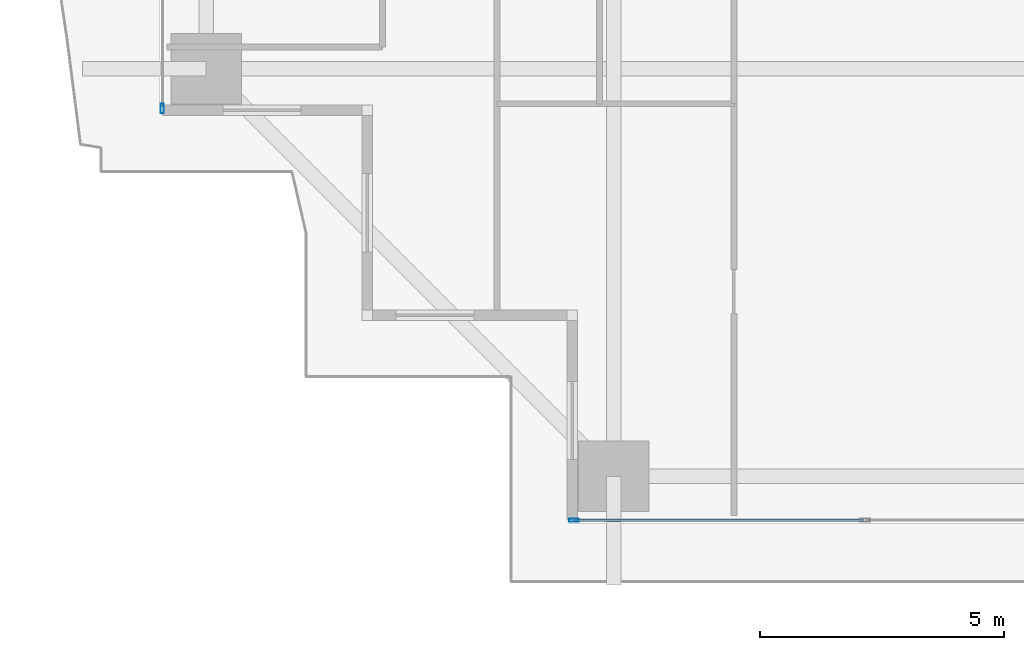
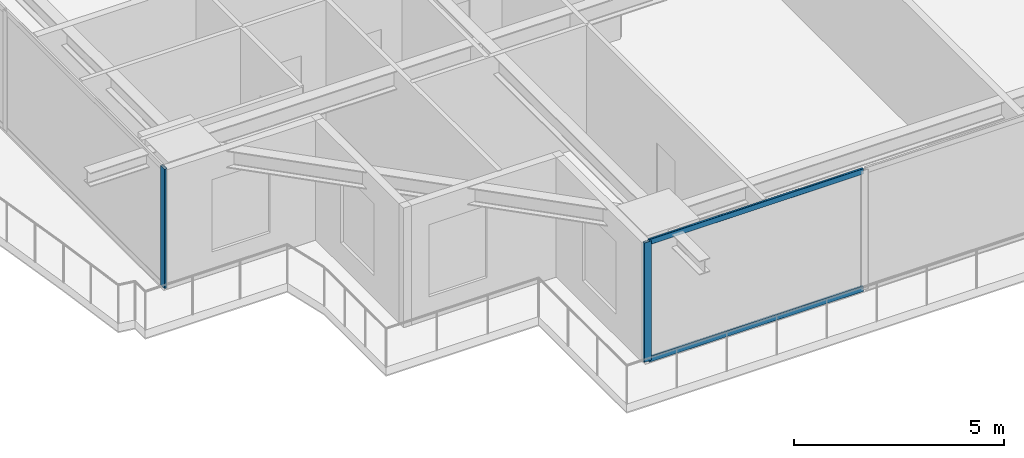
# One storey, part 2 of 35: 4 members, 2 elements without a shape of their own.
"""IFC4 building model written with IfcOpenShell, lengths in metres."""

import ifcopenshell
import ifcopenshell.guid

model = None  # the IFC model being written
_history = None  # IfcOwnerHistory: only IFC2X3 demands one
_inside = {}  # id of a spatial element -> (the spatial element, [elements in it])
_under = {}  # id of a project, library or spatial element -> (it, [spatial elements below it])
_declared = {}  # id of a project -> (the project, [libraries it declares])
_typed = {}  # id of a type object -> (the type object, [elements of that type])
_made_of = {}  # id of a material, layer set ... -> (it, [elements and type objects made of it])


def new_model(schema):
    """Start an empty IFC model of exactly this schema.

    Asked for "IFC4X3", IfcOpenShell would pick the latest addendum, in which some entities
    have other attributes; the version numbers below select the first issue.
    IFC2X3 requires an IfcOwnerHistory on every rooted entity: one is made here for all.
    """
    global model, _history
    if schema == "IFC4X3":
        model = ifcopenshell.file(schema_version=(4, 3, 0, 0))
    else:
        model = ifcopenshell.file(schema=schema)
    _inside.clear()
    _under.clear()
    _declared.clear()
    _typed.clear()
    _made_of.clear()
    _history = None
    if model.schema == "IFC2X3":
        org = make("IfcOrganization", Name="unknown")
        user = make(
            "IfcPersonAndOrganization",
            ThePerson=make("IfcPerson", FamilyName="unknown"),
            TheOrganization=org,
        )
        app = make(
            "IfcApplication",
            ApplicationDeveloper=org,
            Version="unknown",
            ApplicationFullName="unknown",
            ApplicationIdentifier="unknown",
        )
        _history = make(
            "IfcOwnerHistory",
            OwningUser=user,
            OwningApplication=app,
            ChangeAction="ADDED",
            CreationDate=0,
        )
    return model


def make(cls, **values):
    """One entity of the class cls with the attributes given. An attribute that is None is left unset."""
    return model.create_entity(
        cls, **{name: value for name, value in values.items() if value is not None}
    )


def rooted(cls, **values):
    """An entity with a GlobalId (a new one), such as an element, a storey or a relation."""
    return make(cls, GlobalId=ifcopenshell.guid.new(), OwnerHistory=_history, **values)


def si_unit(unit_type, name, prefix=None):
    """IfcSIUnit, for example si_unit("LENGTHUNIT", "METRE", prefix="MILLI")."""
    return make("IfcSIUnit", UnitType=unit_type, Prefix=prefix, Name=name)


def assignment(units):
    """IfcUnitAssignment: the units of a project."""
    return None if units is None else make("IfcUnitAssignment", Units=units)


def point(xyz):
    """IfcCartesianPoint."""
    return None if xyz is None else make("IfcCartesianPoint", Coordinates=xyz)


def direction(xyz):
    """IfcDirection."""
    return None if xyz is None else make("IfcDirection", DirectionRatios=xyz)


def frame(location, z_axis=None, x_axis=None):
    """IfcAxis2Placement3D, a coordinate frame: its origin and axes. An axis left out is left unset."""
    return make(
        "IfcAxis2Placement3D",
        Location=point(location),
        Axis=direction(z_axis),
        RefDirection=direction(x_axis),
    )


def frame_2d(location, x_axis=None):
    """IfcAxis2Placement2D, a coordinate frame in the plane: its origin and x axis."""
    return make(
        "IfcAxis2Placement2D", Location=point(location), RefDirection=direction(x_axis)
    )


def origin():
    """The frame at (0, 0, 0) with its axes left unset."""
    return frame((0.0, 0.0, 0.0))


def origin_2d():
    """The frame at (0, 0) in the plane with its x axis left unset."""
    return frame_2d((0.0, 0.0))


def place(relative_to, where):
    """IfcLocalPlacement: puts the frame where relative to a parent placement (None: the world)."""
    return make(
        "IfcLocalPlacement", PlacementRelTo=relative_to, RelativePlacement=where
    )


def context(
    kind, dimensions, precision=None, world=None, true_north=None, identifier=None
):
    """IfcGeometricRepresentationContext, for example the 3D "Model" context."""
    return make(
        "IfcGeometricRepresentationContext",
        ContextIdentifier=identifier,
        ContextType=kind,
        CoordinateSpaceDimension=dimensions,
        Precision=precision,
        WorldCoordinateSystem=world,
        TrueNorth=true_north,
    )


def subcontext(parent, identifier, kind, view, scale=None):
    """IfcGeometricRepresentationSubContext, for example "Body" below "Model"."""
    return make(
        "IfcGeometricRepresentationSubContext",
        ContextIdentifier=identifier,
        ContextType=kind,
        ParentContext=parent,
        TargetScale=scale,
        TargetView=view,
    )


def project(units=None, contexts=None):
    """IfcProject with its units and contexts."""
    return rooted(
        "IfcProject",
        Name="project",
        RepresentationContexts=contexts,
        UnitsInContext=assignment(units),
    )


def spatial(cls, under=None, at=None, **own):
    """A site, building, storey or space (cls), placed at a placement, below another one or the project."""
    s = rooted(cls, ObjectPlacement=at, **own)
    if under is not None:
        _under.setdefault(under.id(), (under, []))[1].append(s)
    return s


def profile(cls, at=None, kind="AREA", **sizes):
    """A parametric profile (cls). Its sizes go by their IFC names, for example OverallWidth=200.0."""
    return make(cls, ProfileType=kind, Position=at, **sizes)


def hollow_rectangle(**sizes):
    """IfcRectangleHollowProfileDef."""
    return profile("IfcRectangleHollowProfileDef", **sizes)


def extrude(swept, where, along, depth):
    """IfcExtrudedAreaSolid: the profile swept, set in the frame where, extruded along a direction by depth."""
    return make(
        "IfcExtrudedAreaSolid",
        SweptArea=swept,
        Position=where,
        ExtrudedDirection=direction(along),
        Depth=depth,
    )


def shape(context_of_items, identifier, shape_type, items):
    """IfcShapeRepresentation: the items that make up one representation, for example the "Body"."""
    return make(
        "IfcShapeRepresentation",
        ContextOfItems=context_of_items,
        RepresentationIdentifier=identifier,
        RepresentationType=shape_type,
        Items=items,
    )


def source(mapping_origin, context_of_items, identifier, shape_type, items):
    """IfcRepresentationMap: a shape defined once, which mapped items show again and again."""
    return make(
        "IfcRepresentationMap",
        MappingOrigin=mapping_origin,
        MappedRepresentation=shape(context_of_items, identifier, shape_type, items),
    )


def transform(
    local_origin,
    x_axis=None,
    y_axis=None,
    z_axis=None,
    scale=None,
    scale2=None,
    scale3=None,
    uniform=True,
):
    """IfcCartesianTransformationOperator3D, or its non-uniform kind. x_axis, y_axis, z_axis: its Axis1, 2, 3."""
    if uniform:
        return make(
            "IfcCartesianTransformationOperator3D",
            Axis1=direction(x_axis),
            Axis2=direction(y_axis),
            LocalOrigin=point(local_origin),
            Scale=scale,
            Axis3=direction(z_axis),
        )
    return make(
        "IfcCartesianTransformationOperator3DnonUniform",
        Axis1=direction(x_axis),
        Axis2=direction(y_axis),
        LocalOrigin=point(local_origin),
        Scale=scale,
        Axis3=direction(z_axis),
        Scale2=scale2,
        Scale3=scale3,
    )


def mapped(mapping_source, mapping_target):
    """IfcMappedItem: shows the shape of a source again, moved by a transform."""
    return make(
        "IfcMappedItem", MappingSource=mapping_source, MappingTarget=mapping_target
    )


def material(Name=None, Category=None):
    """IfcMaterial."""
    return make("IfcMaterial", Name=Name, Category=Category)


def layer(
    of_material, thickness, ventilated=None, Name=None, Category=None, Priority=None
):
    """IfcMaterialLayer: one layer of a wall or slab, of a material (None: an air gap)."""
    return make(
        "IfcMaterialLayer",
        Material=of_material,
        LayerThickness=thickness,
        IsVentilated=ventilated,
        Name=Name,
        Category=Category,
        Priority=Priority,
    )


def layer_set(layers, Name=None):
    """IfcMaterialLayerSet."""
    return make("IfcMaterialLayerSet", MaterialLayers=layers, LayerSetName=Name)


def material_profile(
    of_material, cross_section, Name=None, Category=None, Priority=None
):
    """IfcMaterialProfile: a cross section and its material."""
    return make(
        "IfcMaterialProfile",
        Name=Name,
        Material=of_material,
        Profile=cross_section,
        Priority=Priority,
        Category=Category,
    )


def profile_set(profiles, Name=None, composite=None):
    """IfcMaterialProfileSet."""
    return make(
        "IfcMaterialProfileSet",
        Name=Name,
        MaterialProfiles=profiles,
        CompositeProfile=composite,
    )


def made_of(thing, what):
    """Note that an element or type object is made of a material, layer set ...; save() writes the relation."""
    if what is not None:
        _made_of.setdefault(what.id(), (what, []))[1].append(thing)
    return thing


def type_object(cls, material=None, **own):
    """A type object (cls), such as IfcWallType, which elements share."""
    return made_of(rooted(cls, **own), material)


def element(
    cls,
    number,
    at=None,
    inside=None,
    cuts=None,
    type_object=None,
    material=None,
    context=None,
    identifier="Body",
    shape_type=None,
    held_by="IfcProductDefinitionShape",
    body=None,
    shapes=None,
    **own,
):
    """One element of the class cls, such as IfcWall. Its Tag is "e" and its number.

    at: its placement. inside: the storey or other place that contains it. cuts: it is an
    opening in that element (IfcRelVoidsElement). A single representation is given by context,
    identifier, shape_type and body (its items); several are given by shapes. held_by: the class
    of the entity that holds the representations. save() writes the other relations.
    """
    e = rooted(cls, Tag="e%d" % number, ObjectPlacement=at, **own)
    if body is not None:
        shapes = [shape(context, identifier, shape_type, body)]
    if shapes is not None:
        e.Representation = make(held_by, Representations=shapes)
    if inside is not None:
        _inside.setdefault(inside.id(), (inside, []))[1].append(e)
    if cuts is not None:
        rooted(
            "IfcRelVoidsElement", RelatingBuildingElement=cuts, RelatedOpeningElement=e
        )
    if type_object is not None:
        _typed.setdefault(type_object.id(), (type_object, []))[1].append(e)
    return made_of(e, material)


def aggregate(whole, parts):
    """IfcRelAggregates: a whole, such as a stair, and the parts it consists of."""
    return rooted("IfcRelAggregates", RelatingObject=whole, RelatedObjects=parts)


def save(model, path):
    """Write the relations noted so far, then the file.

    IfcRelAggregates (storeys below a building ...), IfcRelContainedInSpatialStructure (elements
    in a storey), IfcRelDefinesByType, IfcRelAssociatesMaterial and IfcRelDeclares: one each for
    every whole, place, type object, material and project.
    """
    for whole, parts in _under.values():
        aggregate(whole, parts)
    for where, things in _inside.values():
        rooted(
            "IfcRelContainedInSpatialStructure",
            RelatedElements=things,
            RelatingStructure=where,
        )
    for kind, things in _typed.values():
        rooted("IfcRelDefinesByType", RelatedObjects=things, RelatingType=kind)
    for what, things in _made_of.values():
        rooted("IfcRelAssociatesMaterial", RelatedObjects=things, RelatingMaterial=what)
    for by, libraries in _declared.values():
        rooted("IfcRelDeclares", RelatingContext=by, RelatedDefinitions=libraries)
    model.write(path)


model = new_model("IFC4")

# Units and contexts
model_context = context("Model", 3, precision=1e-05, world=origin(), true_north=direction((0.0, 1.0)))
body_context = subcontext(model_context, "Body", "Model", "MODEL_VIEW")
ifc_project = project(units=[si_unit("LENGTHUNIT", "METRE"), si_unit("AREAUNIT", "SQUARE_METRE"), si_unit("VOLUMEUNIT", "CUBIC_METRE"), si_unit("PLANEANGLEUNIT", "RADIAN"), si_unit("MASSUNIT", "GRAM", prefix="KILO")], contexts=[model_context])

# Site, building, storey
site_placement = place(None, origin())
site = spatial("IfcSite", under=ifc_project, at=site_placement, CompositionType="ELEMENT")
building_placement = place(site_placement, origin())
building = spatial("IfcBuilding", under=site, at=building_placement, Name="Serunith Strait Residences", CompositionType="ELEMENT")
storey_placement = place(building_placement, frame((0.0, 0.0, 56.699951171875)))
storey = spatial("IfcBuildingStorey", under=building, at=storey_placement, Name="L13", CompositionType="ELEMENT", Elevation=56.699951171875)

# Curtain wall, member
ifc_material = material(Name="Pale-Champagne Anodised Aluminium", Category="aluminium")
ifc_layer = layer(ifc_material, 0.199951171875, Name="Pale-Champagne Anodised Aluminium")
ifc_layer_set = layer_set([ifc_layer], Name="Pale-Champagne Anodised Aluminium")
curtain_wall_type = type_object("IfcCurtainWallType", Name="CW-SYS1", PredefinedType="NOTDEFINED", material=ifc_layer_set)
curtain_wall_1_placement = place(storey_placement, origin())
curtain_wall_1 = element("IfcCurtainWall", 1, at=curtain_wall_1_placement, inside=storey, type_object=curtain_wall_type, Name="L13 S Unitised Fritted Curtain Wall", PredefinedType="NOTDEFINED")
ifc_material_profile_1 = material_profile(ifc_material, hollow_rectangle(XDim=0.070068359375, YDim=0.199951171875, WallThickness=0.00390625, InnerFilletRadius=0.006103515625, OuterFilletRadius=0.010009765625, at=origin_2d()), Name="ALU 200x70x4")
ifc_profile_set_1 = profile_set([ifc_material_profile_1], Name="Pale-Champagne Anodised Aluminium")
member_type_1 = type_object("IfcMemberType", Name="CW-SYS1-MULL", PredefinedType="MULLION", material=ifc_profile_set_1)
shared_shape_1 = source(origin(), body_context, "Body", "SweptSolid", [
    extrude(hollow_rectangle(XDim=0.070068359375, YDim=0.199951171875, WallThickness=0.00390625, InnerFilletRadius=0.006103515625, OuterFilletRadius=0.010009765625, at=origin_2d()), origin(), (0.0, 0.0, 1.0), 3.47509765625),
])
member_1_placement = place(storey_placement, frame((14.43505859375, 0.199951171875, 0.0), z_axis=(0.0, 0.0, 1.0), x_axis=(0.0, 1.0, 0.0)))
member_1 = element("IfcMember", 2, at=member_1_placement, type_object=member_type_1, Name="CW-1 mullion 1", PredefinedType="MULLION", context=body_context, shape_type="MappedRepresentation", body=[
    mapped(shared_shape_1, transform((0.0, 0.0, 0.0), scale=1.0)),
])

curtain_wall_2_placement = place(storey_placement, origin())
curtain_wall_2 = element("IfcCurtainWall", 3, at=curtain_wall_2_placement, inside=storey, type_object=curtain_wall_type, Name="L13 W Unitised Fritted Curtain Wall", PredefinedType="NOTDEFINED")
member_2_placement = place(storey_placement, frame((6.0, 8.635009765625, 0.0), z_axis=(0.0, 0.0, 1.0), x_axis=(1.0, 0.0, 0.0)))
member_2 = element("IfcMember", 4, at=member_2_placement, type_object=member_type_1, Name="CW-1 mullion 3", PredefinedType="MULLION", context=body_context, shape_type="MappedRepresentation", body=[
    mapped(shared_shape_1, transform((0.0, 0.0, 0.0), scale=1.0)),
])
aggregate(curtain_wall_2, [member_2])

# Member
ifc_material_profile_2 = material_profile(ifc_material, hollow_rectangle(XDim=0.06005859375, YDim=0.159912109375, WallThickness=0.00341796875, InnerFilletRadius=0.00537109375, OuterFilletRadius=0.0087890625, at=origin_2d()), Name="ALU 160x60x3.5")
ifc_profile_set_2 = profile_set([ifc_material_profile_2], Name="Pale-Champagne Anodised Aluminium")
member_type_2 = type_object("IfcMemberType", Name="CW-SYS1-TRAN", PredefinedType="USERDEFINED", material=ifc_profile_set_2)
shared_shape_2 = source(origin(), body_context, "Body", "SweptSolid", [
    extrude(hollow_rectangle(XDim=0.06005859375, YDim=0.159912109375, WallThickness=0.00341796875, InnerFilletRadius=0.00537109375, OuterFilletRadius=0.0087890625, at=origin_2d()), origin(), (0.0, 0.0, 1.0), 5.89501953125),
])
member_3_placement = place(storey_placement, frame((14.469970703125, 0.199951171875, 0.030029296875), z_axis=(1.0, 0.0, 0.0), x_axis=(0.0, 1.0, 0.0)))
member_3 = element("IfcMember", 5, at=member_3_placement, type_object=member_type_2, Name="CW-1 transom 1.1", ObjectType="TRANSOM", PredefinedType="USERDEFINED", context=body_context, shape_type="MappedRepresentation", body=[
    mapped(shared_shape_2, transform((0.0, 0.0, 0.0), scale=1.0)),
])

member_4_placement = place(storey_placement, frame((14.469970703125, 0.199951171875, 3.445068359375), z_axis=(1.0, 0.0, 0.0), x_axis=(0.0, 1.0, 0.0)))
member_4 = element("IfcMember", 6, at=member_4_placement, type_object=member_type_2, Name="CW-1 transom 1.2", ObjectType="TRANSOM", PredefinedType="USERDEFINED", context=body_context, shape_type="MappedRepresentation", body=[
    mapped(shared_shape_2, transform((0.0, 0.0, 0.0), scale=1.0)),
])

aggregate(curtain_wall_1, [member_1, member_3, member_4])

save(model, "model.ifc")
